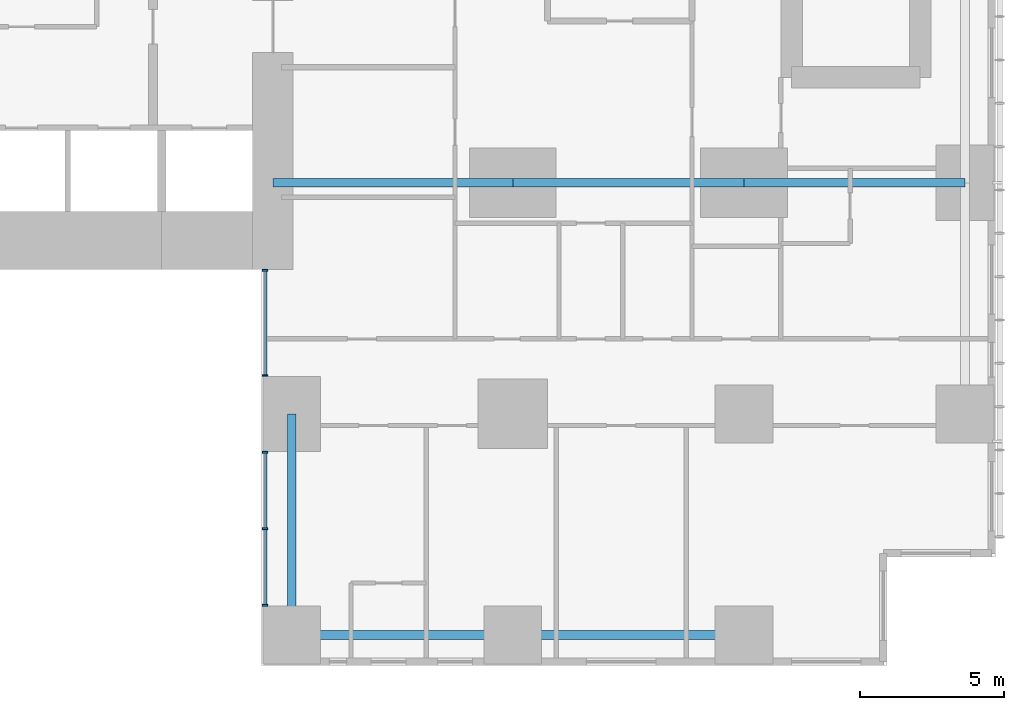
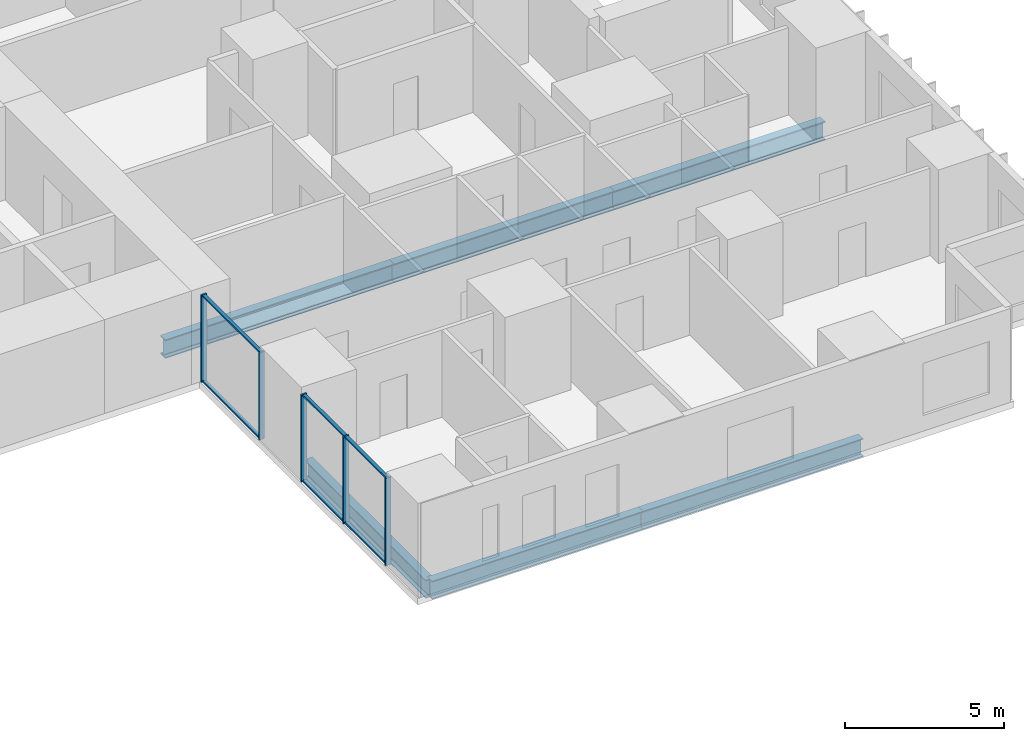
# One storey, part 3 of 20: 11 members, 6 beams, 2 elements without a shape of their own.
"""IFC4 building model written with IfcOpenShell, lengths in metres."""

from ifc_helpers import new_model, si_unit, direction, frame, origin, origin_2d, place, context, subcontext, project, spatial, rectangle, i_section, extrude, material, layer, layer_set, material_profile, profile_set, type_object, element, aggregate, save


model = new_model("IFC4")

# Units and contexts
model_context = context("Model", 3, precision=1e-05, world=origin(), true_north=direction((0.0, 1.0)))
body_context = subcontext(model_context, "Body", "Model", "MODEL_VIEW")
ifc_project = project(units=[si_unit("LENGTHUNIT", "METRE"), si_unit("AREAUNIT", "SQUARE_METRE"), si_unit("VOLUMEUNIT", "CUBIC_METRE"), si_unit("PLANEANGLEUNIT", "RADIAN"), si_unit("MASSUNIT", "GRAM", prefix="KILO")], contexts=[model_context])

# Site, building, storey
site_placement = place(None, origin())
site = spatial("IfcSite", under=ifc_project, at=site_placement, CompositionType="ELEMENT")
building_placement = place(site_placement, origin())
building = spatial("IfcBuilding", under=site, at=building_placement, Name="Cleftline Residences", CompositionType="ELEMENT")
storey_placement = place(building_placement, frame((0.0, 0.0, 40.39990234375)))
storey = spatial("IfcBuildingStorey", under=building, at=storey_placement, Name="L09", CompositionType="ELEMENT", Elevation=40.39990234375)

# Beams
ifc_material_1 = material(Name="Steel S355", Category="steel")
ifc_material_profile_1 = material_profile(ifc_material_1, i_section(OverallWidth=0.300048828125, OverallDepth=0.699951171875, WebThickness=0.01708984375, FlangeThickness=0.031982421875, FilletRadius=0.027099609375, at=origin_2d()))
ifc_profile_set_1 = profile_set([ifc_material_profile_1], Name="Steel S355")
beam_type_1 = type_object("IfcBeamType", Name="BEAM HEB 700", PredefinedType="BEAM", material=ifc_profile_set_1)
beam_1_placement = place(storey_placement, frame((58.0, 0.35009765625, -0.599853515625), z_axis=(-1.0, 0.0, 0.0), x_axis=(0.0, -1.0, 0.0)))
element("IfcBeam", 1, at=beam_1_placement, inside=storey, type_object=beam_type_1, Name="Edge beam", PredefinedType="BEAM", context=body_context, shape_type="SweptSolid", body=[
    extrude(i_section(OverallWidth=0.300048828125, OverallDepth=0.699951171875, WebThickness=0.01708984375, FlangeThickness=0.031982421875, FilletRadius=0.027099609375, at=origin_2d()), origin(), (0.0, 0.0, 1.0), 8.0),
])
for number, where, z_axis, x_axis, name in (
    (2, (50.0, 0.35009765625, -0.599853515625), (-1.0, 0.0, 0.0), (0.0, -1.0, 0.0), "Edge beam"),
    (3, (42.35009765625, 0.35009765625, -0.599853515625), (0.0, 1.0, 0.0), (-1.0, 0.0, 0.0), "Edge beam"),
):
    element("IfcBeam", number, at=place(storey_placement, frame(where, z_axis=z_axis, x_axis=x_axis)), inside=storey, type_object=beam_type_1, Name=name, PredefinedType="BEAM", context=body_context, shape_type="SweptSolid", body=[
        extrude(i_section(OverallWidth=0.300048828125, OverallDepth=0.699951171875, WebThickness=0.01708984375, FlangeThickness=0.031982421875, FilletRadius=0.027099609375, at=origin_2d()), origin(), (0.0, 0.0, 1.0), 7.64990234375),
    ])
ifc_material_2 = material(Name="Steel S355", Category="steel")
ifc_material_profile_2 = material_profile(ifc_material_2, i_section(OverallWidth=0.303955078125, OverallDepth=0.716064453125, WebThickness=0.02099609375, FlangeThickness=0.0400390625, FilletRadius=0.027099609375, at=origin_2d()))
ifc_profile_set_2 = profile_set([ifc_material_profile_2], Name="Steel S355")
beam_type_2 = type_object("IfcBeamType", Name="BEAM HEM 700", PredefinedType="BEAM", material=ifc_profile_set_2)
beam_2_placement = place(storey_placement, frame((65.64990234375, 16.0, -0.60791015625), z_axis=(-1.0, 0.0, 0.0), x_axis=(0.0, -1.0, 0.0)))
element("IfcBeam", 4, at=beam_2_placement, inside=storey, type_object=beam_type_2, Name="Band beam", PredefinedType="BEAM", context=body_context, shape_type="SweptSolid", body=[
    extrude(i_section(OverallWidth=0.303955078125, OverallDepth=0.716064453125, WebThickness=0.02099609375, FlangeThickness=0.0400390625, FilletRadius=0.027099609375, at=origin_2d()), origin(), (0.0, 0.0, 1.0), 7.64990234375),
])
beam_3_placement = place(storey_placement, frame((58.0, 16.0, -0.60791015625), z_axis=(-1.0, 0.0, 0.0), x_axis=(0.0, -1.0, 0.0)))
element("IfcBeam", 5, at=beam_3_placement, inside=storey, type_object=beam_type_2, Name="Band beam", PredefinedType="BEAM", context=body_context, shape_type="SweptSolid", body=[
    extrude(i_section(OverallWidth=0.303955078125, OverallDepth=0.716064453125, WebThickness=0.02099609375, FlangeThickness=0.0400390625, FilletRadius=0.027099609375, at=origin_2d()), origin(), (0.0, 0.0, 1.0), 8.0),
])
beam_4_placement = place(storey_placement, frame((50.0, 16.0, -0.60791015625), z_axis=(-1.0, 0.0, 0.0), x_axis=(0.0, -1.0, 0.0)))
element("IfcBeam", 6, at=beam_4_placement, inside=storey, type_object=beam_type_2, Name="Band beam", PredefinedType="BEAM", context=body_context, shape_type="SweptSolid", body=[
    extrude(i_section(OverallWidth=0.303955078125, OverallDepth=0.716064453125, WebThickness=0.02099609375, FlangeThickness=0.0400390625, FilletRadius=0.027099609375, at=origin_2d()), origin(), (0.0, 0.0, 1.0), 8.300048828125),
])

# Curtain wall, members
ifc_material_3 = material(Name="Aluminium framed curtain wall", Category="aluminium")
ifc_layer = layer(ifc_material_3, 0.199951171875)
ifc_layer_set = layer_set([ifc_layer], Name="CW1 CLEFT GLAZING")
curtain_wall_type = type_object("IfcCurtainWallType", Name="CW1 CLEFT GLAZING", PredefinedType="NOTDEFINED", material=ifc_layer_set)
curtain_wall_1_placement = place(storey_placement, origin())
curtain_wall_1 = element("IfcCurtainWall", 7, at=curtain_wall_1_placement, inside=storey, type_object=curtain_wall_type, Name="Curtain wall CW1", PredefinedType="NOTDEFINED")
ifc_material_4 = material(Name="Aluminium mullion", Category="aluminium")
ifc_material_profile_3 = material_profile(ifc_material_4, rectangle(XDim=0.199951171875, YDim=0.06005859375, at=origin_2d()))
ifc_profile_set_3 = profile_set([ifc_material_profile_3], Name="Aluminium mullion")
member_type_1 = type_object("IfcMemberType", Name="CW1 MULLION", PredefinedType="MULLION", material=ifc_profile_set_3)
member_1_placement = place(storey_placement, frame((41.425048828125, 12.969970703125, 0.0), z_axis=(0.0, 0.0, 1.0), x_axis=(1.0, 0.0, 0.0)))
member_1 = element("IfcMember", 8, at=member_1_placement, type_object=member_type_1, Name="CW1 mullion 1", PredefinedType="MULLION", context=body_context, shape_type="SweptSolid", body=[
    extrude(rectangle(XDim=0.199951171875, YDim=0.06005859375, at=origin_2d()), origin(), (0.0, 0.0, 1.0), 3.35009765625),
])
member_2_placement = place(storey_placement, frame((41.425048828125, 9.330078125, 0.0), z_axis=(0.0, 0.0, 1.0), x_axis=(1.0, 0.0, 0.0)))
member_2 = element("IfcMember", 9, at=member_2_placement, type_object=member_type_1, Name="CW1 mullion 2", PredefinedType="MULLION", context=body_context, shape_type="SweptSolid", body=[
    extrude(rectangle(XDim=0.199951171875, YDim=0.06005859375, at=origin_2d()), origin(), (0.0, 0.0, 1.0), 3.35009765625),
])

curtain_wall_2_placement = place(storey_placement, origin())
curtain_wall_2 = element("IfcCurtainWall", 10, at=curtain_wall_2_placement, inside=storey, type_object=curtain_wall_type, Name="Curtain wall CW1", PredefinedType="NOTDEFINED")
member_3_placement = place(storey_placement, frame((41.425048828125, 6.669921875, 0.0), z_axis=(0.0, 0.0, 1.0), x_axis=(1.0, 0.0, 0.0)))
member_3 = element("IfcMember", 11, at=member_3_placement, type_object=member_type_1, Name="CW1 mullion 1", PredefinedType="MULLION", context=body_context, shape_type="SweptSolid", body=[
    extrude(rectangle(XDim=0.199951171875, YDim=0.06005859375, at=origin_2d()), origin(), (0.0, 0.0, 1.0), 3.35009765625),
])
member_4_placement = place(storey_placement, frame((41.425048828125, 4.02490234375, 0.0), z_axis=(0.0, 0.0, 1.0), x_axis=(1.0, 0.0, 0.0)))
member_4 = element("IfcMember", 12, at=member_4_placement, type_object=member_type_1, Name="CW1 mullion 2", PredefinedType="MULLION", context=body_context, shape_type="SweptSolid", body=[
    extrude(rectangle(XDim=0.199951171875, YDim=0.06005859375, at=origin_2d()), origin(), (0.0, 0.0, 1.0), 3.35009765625),
])
member_5_placement = place(storey_placement, frame((41.425048828125, 1.3798828125, 0.0), z_axis=(0.0, 0.0, 1.0), x_axis=(1.0, 0.0, 0.0)))
member_5 = element("IfcMember", 13, at=member_5_placement, type_object=member_type_1, Name="CW1 mullion 3", PredefinedType="MULLION", context=body_context, shape_type="SweptSolid", body=[
    extrude(rectangle(XDim=0.199951171875, YDim=0.06005859375, at=origin_2d()), origin(), (0.0, 0.0, 1.0), 3.35009765625),
])

# Member
ifc_material_5 = material(Name="Aluminium transom", Category="aluminium")
ifc_material_profile_4 = material_profile(ifc_material_5, rectangle(XDim=0.1201171875, YDim=0.06005859375, at=origin_2d()))
ifc_profile_set_4 = profile_set([ifc_material_profile_4], Name="Aluminium transom")
member_type_2 = type_object("IfcMemberType", Name="CW1 TRANSOM", PredefinedType="USERDEFINED", material=ifc_profile_set_4)
member_6_placement = place(storey_placement, frame((41.425048828125, 12.93994140625, 0.030029296875), z_axis=(0.0, -1.0, 0.0), x_axis=(1.0, 0.0, 0.0)))
member_6 = element("IfcMember", 14, at=member_6_placement, type_object=member_type_2, Name="CW1 transom 1.1", ObjectType="TRANSOM", PredefinedType="USERDEFINED", context=body_context, shape_type="SweptSolid", body=[
    extrude(rectangle(XDim=0.1201171875, YDim=0.06005859375, at=origin_2d()), origin(), (0.0, 0.0, 1.0), 3.579833984375),
])

member_7_placement = place(storey_placement, frame((41.425048828125, 12.93994140625, 3.320068359375), z_axis=(0.0, -1.0, 0.0), x_axis=(1.0, 0.0, 0.0)))
member_7 = element("IfcMember", 15, at=member_7_placement, type_object=member_type_2, Name="CW1 transom 1.2", ObjectType="TRANSOM", PredefinedType="USERDEFINED", context=body_context, shape_type="SweptSolid", body=[
    extrude(rectangle(XDim=0.1201171875, YDim=0.06005859375, at=origin_2d()), origin(), (0.0, 0.0, 1.0), 3.579833984375),
])

aggregate(curtain_wall_1, [member_1, member_2, member_6, member_7])

member_8_placement = place(storey_placement, frame((41.425048828125, 6.639892578125, 0.030029296875), z_axis=(0.0, -1.0, 0.0), x_axis=(1.0, 0.0, 0.0)))
member_8 = element("IfcMember", 16, at=member_8_placement, type_object=member_type_2, Name="CW1 transom 1.1", ObjectType="TRANSOM", PredefinedType="USERDEFINED", context=body_context, shape_type="SweptSolid", body=[
    extrude(rectangle(XDim=0.1201171875, YDim=0.06005859375, at=origin_2d()), origin(), (0.0, 0.0, 1.0), 2.5849609375),
])

member_9_placement = place(storey_placement, frame((41.425048828125, 6.639892578125, 3.320068359375), z_axis=(0.0, -1.0, 0.0), x_axis=(1.0, 0.0, 0.0)))
member_9 = element("IfcMember", 17, at=member_9_placement, type_object=member_type_2, Name="CW1 transom 1.2", ObjectType="TRANSOM", PredefinedType="USERDEFINED", context=body_context, shape_type="SweptSolid", body=[
    extrude(rectangle(XDim=0.1201171875, YDim=0.06005859375, at=origin_2d()), origin(), (0.0, 0.0, 1.0), 2.5849609375),
])

member_10_placement = place(storey_placement, frame((41.425048828125, 3.9951171875, 0.030029296875), z_axis=(0.0, -1.0, 0.0), x_axis=(1.0, 0.0, 0.0)))
member_10 = element("IfcMember", 18, at=member_10_placement, type_object=member_type_2, Name="CW1 transom 2.1", ObjectType="TRANSOM", PredefinedType="USERDEFINED", context=body_context, shape_type="SweptSolid", body=[
    extrude(rectangle(XDim=0.1201171875, YDim=0.06005859375, at=origin_2d()), origin(), (0.0, 0.0, 1.0), 2.585205078125),
])

member_11_placement = place(storey_placement, frame((41.425048828125, 3.9951171875, 3.320068359375), z_axis=(0.0, -1.0, 0.0), x_axis=(1.0, 0.0, 0.0)))
member_11 = element("IfcMember", 19, at=member_11_placement, type_object=member_type_2, Name="CW1 transom 2.2", ObjectType="TRANSOM", PredefinedType="USERDEFINED", context=body_context, shape_type="SweptSolid", body=[
    extrude(rectangle(XDim=0.1201171875, YDim=0.06005859375, at=origin_2d()), origin(), (0.0, 0.0, 1.0), 2.585205078125),
])

aggregate(curtain_wall_2, [member_3, member_4, member_5, member_8, member_9, member_10, member_11])

save(model, "model.ifc")
